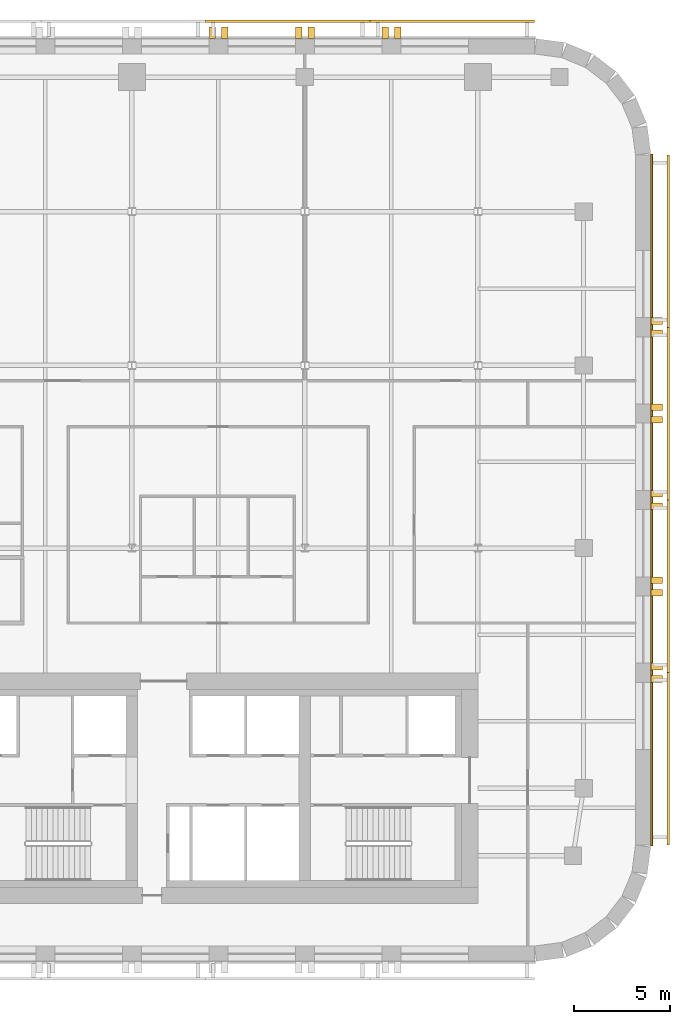
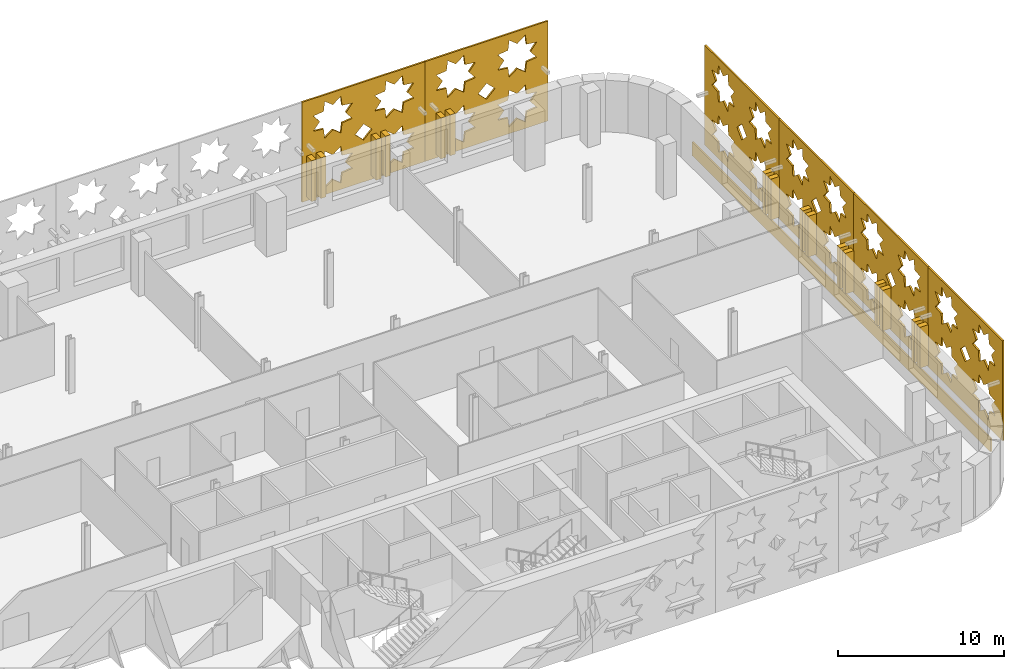
# One storey, part 12 of 12: 23 coverings.
"""IFC4 building model written with IfcOpenShell, lengths in metres."""

from ifc_helpers import new_model, si_unit, direction, frame, origin, place, context, subcontext, project, spatial, polyline, outline, extrude, material, layer, layer_set, type_object, element, save


model = new_model("IFC4")

# Units and contexts
model_context = context("Model", 3, precision=1e-05, world=origin(), true_north=direction((0.0, 1.0)))
body_context = subcontext(model_context, "Body", "Model", "MODEL_VIEW")
ifc_project = project(units=[si_unit("LENGTHUNIT", "METRE"), si_unit("AREAUNIT", "SQUARE_METRE"), si_unit("VOLUMEUNIT", "CUBIC_METRE"), si_unit("PLANEANGLEUNIT", "RADIAN"), si_unit("MASSUNIT", "GRAM", prefix="KILO")], contexts=[model_context])

# Site, building, storey
site_placement = place(None, origin())
site = spatial("IfcSite", under=ifc_project, at=site_placement, CompositionType="ELEMENT")
building_placement = place(site_placement, origin())
building = spatial("IfcBuilding", under=site, at=building_placement, Name="Zellij Exchange Tower", CompositionType="ELEMENT")
storey_placement = place(building_placement, frame((0.0, 0.0, 204.5)))
storey = spatial("IfcBuildingStorey", under=building, at=storey_placement, Name="L47", CompositionType="ELEMENT", Elevation=204.5)

# Coverings
ifc_material_1 = material(Name="Limestone cladding", Category="masonry")
covering_type_1 = type_object("IfcCoveringType", Name="ENV-CV3 Stone pier 350x600", PredefinedType="CLADDING", material=ifc_material_1)
covering_1_placement = place(storey_placement, frame((0.0, 0.0, 0.800048828125)))
element("IfcCovering", 1, at=covering_1_placement, inside=storey, type_object=covering_type_1, Name="Stone pier", PredefinedType="CLADDING", context=body_context, shape_type="SweptSolid", body=[
    extrude(outline(polyline([(36.0, -2.48681640625), (36.0, -2.136962890625), (36.60009765625, -2.136962890625), (36.60009765625, -2.48681640625), (36.0, -2.48681640625)])), origin(), (0.0, 0.0, 1.0), 3.0),
])
covering_2_placement = place(storey_placement, frame((0.0, 0.0, 0.800048828125)))
element("IfcCovering", 2, at=covering_2_placement, inside=storey, type_object=covering_type_1, Name="Stone pier", PredefinedType="CLADDING", context=body_context, shape_type="SweptSolid", body=[
    extrude(outline(polyline([(36.0, -1.8369140625), (36.0, -1.48681640625), (36.60009765625, -1.48681640625), (36.60009765625, -1.8369140625), (36.0, -1.8369140625)])), origin(), (0.0, 0.0, 1.0), 3.0),
])
covering_3_placement = place(storey_placement, frame((0.0, 0.0, 0.800048828125)))
element("IfcCovering", 3, at=covering_3_placement, inside=storey, type_object=covering_type_1, Name="Stone pier", PredefinedType="CLADDING", context=body_context, shape_type="SweptSolid", body=[
    extrude(outline(polyline([(36.0, 2.006591796875), (36.0, 2.3564453125), (36.60009765625, 2.3564453125), (36.60009765625, 2.006591796875), (36.0, 2.006591796875)])), origin(), (0.0, 0.0, 1.0), 3.0),
])
covering_4_placement = place(storey_placement, frame((0.0, 0.0, 0.800048828125)))
element("IfcCovering", 4, at=covering_4_placement, inside=storey, type_object=covering_type_1, Name="Stone pier", PredefinedType="CLADDING", context=body_context, shape_type="SweptSolid", body=[
    extrude(outline(polyline([(36.0, 2.656494140625), (36.0, 3.006591796875), (36.60009765625, 3.006591796875), (36.60009765625, 2.656494140625), (36.0, 2.656494140625)])), origin(), (0.0, 0.0, 1.0), 3.0),
])
covering_5_placement = place(storey_placement, frame((0.0, 0.0, 0.800048828125)))
element("IfcCovering", 5, at=covering_5_placement, inside=storey, type_object=covering_type_1, Name="Stone pier", PredefinedType="CLADDING", context=body_context, shape_type="SweptSolid", body=[
    extrude(outline(polyline([(36.0, 6.5), (36.0, 6.85009765625), (36.60009765625, 6.85009765625), (36.60009765625, 6.5), (36.0, 6.5)])), origin(), (0.0, 0.0, 1.0), 3.0),
])
covering_6_placement = place(storey_placement, frame((0.0, 0.0, 0.800048828125)))
element("IfcCovering", 6, at=covering_6_placement, inside=storey, type_object=covering_type_1, Name="Stone pier", PredefinedType="CLADDING", context=body_context, shape_type="SweptSolid", body=[
    extrude(outline(polyline([(36.0, 7.14990234375), (36.0, 7.5), (36.60009765625, 7.5), (36.60009765625, 7.14990234375), (36.0, 7.14990234375)])), origin(), (0.0, 0.0, 1.0), 3.0),
])
covering_7_placement = place(storey_placement, frame((0.0, 0.0, 0.800048828125)))
element("IfcCovering", 7, at=covering_7_placement, inside=storey, type_object=covering_type_1, Name="Stone pier", PredefinedType="CLADDING", context=body_context, shape_type="SweptSolid", body=[
    extrude(outline(polyline([(36.0, 10.993408203125), (36.0, 11.343505859375), (36.60009765625, 11.343505859375), (36.60009765625, 10.993408203125), (36.0, 10.993408203125)])), origin(), (0.0, 0.0, 1.0), 3.0),
])
covering_8_placement = place(storey_placement, frame((0.0, 0.0, 0.800048828125)))
element("IfcCovering", 8, at=covering_8_placement, inside=storey, type_object=covering_type_1, Name="Stone pier", PredefinedType="CLADDING", context=body_context, shape_type="SweptSolid", body=[
    extrude(outline(polyline([(36.0, 11.643310546875), (36.0, 11.993408203125), (36.60009765625, 11.993408203125), (36.60009765625, 11.643310546875), (36.0, 11.643310546875)])), origin(), (0.0, 0.0, 1.0), 3.0),
])
covering_9_placement = place(storey_placement, frame((0.0, 0.0, 0.800048828125)))
element("IfcCovering", 9, at=covering_9_placement, inside=storey, type_object=covering_type_1, Name="Stone pier", PredefinedType="CLADDING", context=body_context, shape_type="SweptSolid", body=[
    extrude(outline(polyline([(36.0, 15.48681640625), (36.0, 15.8369140625), (36.60009765625, 15.8369140625), (36.60009765625, 15.48681640625), (36.0, 15.48681640625)])), origin(), (0.0, 0.0, 1.0), 3.0),
])
covering_10_placement = place(storey_placement, frame((0.0, 0.0, 0.800048828125)))
element("IfcCovering", 10, at=covering_10_placement, inside=storey, type_object=covering_type_1, Name="Stone pier", PredefinedType="CLADDING", context=body_context, shape_type="SweptSolid", body=[
    extrude(outline(polyline([(36.0, 16.136962890625), (36.0, 16.48681640625), (36.60009765625, 16.48681640625), (36.60009765625, 16.136962890625), (36.0, 16.136962890625)])), origin(), (0.0, 0.0, 1.0), 3.0),
])
covering_11_placement = place(storey_placement, frame((0.0, 0.0, 0.800048828125)))
element("IfcCovering", 11, at=covering_11_placement, inside=storey, type_object=covering_type_1, Name="Stone pier", PredefinedType="CLADDING", context=body_context, shape_type="SweptSolid", body=[
    extrude(outline(polyline([(23.0, 31.0), (22.64990234375, 31.0), (22.64990234375, 31.60009765625), (23.0, 31.60009765625), (23.0, 31.0)])), origin(), (0.0, 0.0, 1.0), 3.0),
])
covering_12_placement = place(storey_placement, frame((0.0, 0.0, 0.800048828125)))
element("IfcCovering", 12, at=covering_12_placement, inside=storey, type_object=covering_type_1, Name="Stone pier", PredefinedType="CLADDING", context=body_context, shape_type="SweptSolid", body=[
    extrude(outline(polyline([(22.35009765625, 31.0), (22.0, 31.0), (22.0, 31.60009765625), (22.35009765625, 31.60009765625), (22.35009765625, 31.0)])), origin(), (0.0, 0.0, 1.0), 3.0),
])
covering_13_placement = place(storey_placement, frame((0.0, 0.0, 0.800048828125)))
element("IfcCovering", 13, at=covering_13_placement, inside=storey, type_object=covering_type_1, Name="Stone pier", PredefinedType="CLADDING", context=body_context, shape_type="SweptSolid", body=[
    extrude(outline(polyline([(18.5, 31.0), (18.14990234375, 31.0), (18.14990234375, 31.60009765625), (18.5, 31.60009765625), (18.5, 31.0)])), origin(), (0.0, 0.0, 1.0), 3.0),
])
covering_14_placement = place(storey_placement, frame((0.0, 0.0, 0.800048828125)))
element("IfcCovering", 14, at=covering_14_placement, inside=storey, type_object=covering_type_1, Name="Stone pier", PredefinedType="CLADDING", context=body_context, shape_type="SweptSolid", body=[
    extrude(outline(polyline([(17.85009765625, 31.0), (17.5, 31.0), (17.5, 31.60009765625), (17.85009765625, 31.60009765625), (17.85009765625, 31.0)])), origin(), (0.0, 0.0, 1.0), 3.0),
])
covering_15_placement = place(storey_placement, frame((0.0, 0.0, 0.800048828125)))
element("IfcCovering", 15, at=covering_15_placement, inside=storey, type_object=covering_type_1, Name="Stone pier", PredefinedType="CLADDING", context=body_context, shape_type="SweptSolid", body=[
    extrude(outline(polyline([(14.0, 31.0), (13.64990234375, 31.0), (13.64990234375, 31.60009765625), (14.0, 31.60009765625), (14.0, 31.0)])), origin(), (0.0, 0.0, 1.0), 3.0),
])
covering_16_placement = place(storey_placement, frame((0.0, 0.0, 0.800048828125)))
element("IfcCovering", 16, at=covering_16_placement, inside=storey, type_object=covering_type_1, Name="Stone pier", PredefinedType="CLADDING", context=body_context, shape_type="SweptSolid", body=[
    extrude(outline(polyline([(13.35009765625, 31.0), (13.0, 31.0), (13.0, 31.60009765625), (13.35009765625, 31.60009765625), (13.35009765625, 31.0)])), origin(), (0.0, 0.0, 1.0), 3.0),
])
ifc_layer_1 = layer(ifc_material_1, 0.10009765625)
ifc_layer_set_1 = layer_set([ifc_layer_1], Name="Limestone cladding")
covering_type_2 = type_object("IfcCoveringType", Name="ENV-CV9 Stone spandrel band 100", PredefinedType="CLADDING", material=ifc_layer_set_1)
covering_17_placement = place(storey_placement, frame((0.0, 0.0, -0.199951171875)))
element("IfcCovering", 17, at=covering_17_placement, inside=storey, type_object=covering_type_2, Name="Stone spandrel band", PredefinedType="CLADDING", context=body_context, shape_type="SweptSolid", body=[
    extrude(outline(polyline([(36.0, -10.973876953125), (36.0, 24.973876953125), (36.10009765625, 24.980224609375), (36.10009765625, -10.980224609375), (36.0, -10.973876953125)])), origin(), (0.0, 0.0, 1.0), 1.0),
])
ifc_material_2 = material(Name="Limestone screen", Category="masonry")
ifc_layer_2 = layer(ifc_material_2, 0.1201171875)
ifc_layer_set_2 = layer_set([ifc_layer_2], Name="Limestone screen")
covering_type_3 = type_object("IfcCoveringType", Name="ENV-SC1 Pierced stone screen 120", PredefinedType="USERDEFINED", material=ifc_layer_set_2)
covering_18_placement = place(storey_placement, frame((29.947509765625, 31.909912109375, 0.300048828125), z_axis=(0.0, 0.0, 1.0), x_axis=(-1.0, 0.0, 0.0)))
element("IfcCovering", 18, at=covering_18_placement, inside=storey, type_object=covering_type_3, Name="Pierced stone screen", ObjectType="SCREEN", PredefinedType="USERDEFINED", context=body_context, shape_type="SweptSolid", body=[
    extrude(outline(polyline([(0.0, 0.0), (8.556396484375, 0.0), (8.556396484375, 7.35009765625), (0.0, 7.35009765625), (0.0, 0.0)]), holes=[polyline([(3.497314453125, 2.39990234375), (2.78369140625, 2.48193359375), (2.70166015625, 3.195556640625), (2.13916015625, 2.748779296875), (1.57666015625, 3.195556640625), (1.49462890625, 2.48193359375), (0.781005859375, 2.39990234375), (1.227783203125, 1.83740234375), (0.781005859375, 1.27490234375), (1.49462890625, 1.193115234375), (1.57666015625, 0.4794921875), (2.13916015625, 0.926025390625), (2.70166015625, 0.4794921875), (2.78369140625, 1.193115234375), (3.497314453125, 1.27490234375), (3.050537109375, 1.83740234375), (3.497314453125, 2.39990234375)]), polyline([(3.497314453125, 6.074951171875), (2.78369140625, 6.156982421875), (2.70166015625, 6.87060546875), (2.13916015625, 6.423828125), (1.57666015625, 6.87060546875), (1.49462890625, 6.156982421875), (0.781005859375, 6.074951171875), (1.227783203125, 5.512451171875), (0.781005859375, 4.949951171875), (1.49462890625, 4.867919921875), (1.57666015625, 4.154296875), (2.13916015625, 4.60107421875), (2.70166015625, 4.154296875), (2.78369140625, 4.867919921875), (3.497314453125, 4.949951171875), (3.050537109375, 5.512451171875), (3.497314453125, 6.074951171875)]), polyline([(7.775390625, 2.39990234375), (7.061767578125, 2.48193359375), (6.97998046875, 3.195556640625), (6.417236328125, 2.748779296875), (5.854736328125, 3.195556640625), (5.77294921875, 2.48193359375), (5.05908203125, 2.39990234375), (5.505859375, 1.83740234375), (5.05908203125, 1.27490234375), (5.77294921875, 1.193115234375), (5.854736328125, 0.4794921875), (6.417236328125, 0.926025390625), (6.97998046875, 0.4794921875), (7.061767578125, 1.193115234375), (7.775390625, 1.27490234375), (7.32861328125, 1.83740234375), (7.775390625, 2.39990234375)]), polyline([(7.775390625, 6.074951171875), (7.061767578125, 6.156982421875), (6.97998046875, 6.87060546875), (6.417236328125, 6.423828125), (5.854736328125, 6.87060546875), (5.77294921875, 6.156982421875), (5.05908203125, 6.074951171875), (5.505859375, 5.512451171875), (5.05908203125, 4.949951171875), (5.77294921875, 4.867919921875), (5.854736328125, 4.154296875), (6.417236328125, 4.60107421875), (6.97998046875, 4.154296875), (7.061767578125, 4.867919921875), (7.775390625, 4.949951171875), (7.32861328125, 5.512451171875), (7.775390625, 6.074951171875)]), polyline([(4.8662109375, 3.675048828125), (4.2783203125, 4.262939453125), (3.690185546875, 3.675048828125), (4.2783203125, 3.0869140625), (4.8662109375, 3.675048828125)])]), frame((0.0, 0.06005859375, 0.0), z_axis=(0.0, -1.0, 0.0), x_axis=(1.0, 0.0, 0.0)), (0.0, 0.0, 1.0), 0.1201171875),
])
covering_19_placement = place(storey_placement, frame((21.39111328125, 31.909912109375, 0.300048828125), z_axis=(0.0, 0.0, 1.0), x_axis=(-1.0, 0.0, 0.0)))
element("IfcCovering", 19, at=covering_19_placement, inside=storey, type_object=covering_type_3, Name="Pierced stone screen", ObjectType="SCREEN", PredefinedType="USERDEFINED", context=body_context, shape_type="SweptSolid", body=[
    extrude(outline(polyline([(0.0, 0.0), (8.556396484375, 0.0), (8.556396484375, 7.35009765625), (0.0, 7.35009765625), (0.0, 0.0)]), holes=[polyline([(3.497314453125, 2.39990234375), (2.78369140625, 2.48193359375), (2.70166015625, 3.195556640625), (2.13916015625, 2.748779296875), (1.57666015625, 3.195556640625), (1.49462890625, 2.48193359375), (0.781005859375, 2.39990234375), (1.227783203125, 1.83740234375), (0.781005859375, 1.27490234375), (1.49462890625, 1.193115234375), (1.57666015625, 0.4794921875), (2.13916015625, 0.926025390625), (2.70166015625, 0.4794921875), (2.78369140625, 1.193115234375), (3.497314453125, 1.27490234375), (3.050537109375, 1.83740234375), (3.497314453125, 2.39990234375)]), polyline([(3.497314453125, 6.074951171875), (2.78369140625, 6.156982421875), (2.70166015625, 6.87060546875), (2.13916015625, 6.423828125), (1.57666015625, 6.87060546875), (1.49462890625, 6.156982421875), (0.781005859375, 6.074951171875), (1.227783203125, 5.512451171875), (0.781005859375, 4.949951171875), (1.49462890625, 4.867919921875), (1.57666015625, 4.154296875), (2.13916015625, 4.60107421875), (2.70166015625, 4.154296875), (2.78369140625, 4.867919921875), (3.497314453125, 4.949951171875), (3.050537109375, 5.512451171875), (3.497314453125, 6.074951171875)]), polyline([(7.775390625, 2.39990234375), (7.061767578125, 2.48193359375), (6.97998046875, 3.195556640625), (6.417236328125, 2.748779296875), (5.854736328125, 3.195556640625), (5.77294921875, 2.48193359375), (5.05908203125, 2.39990234375), (5.505859375, 1.83740234375), (5.05908203125, 1.27490234375), (5.77294921875, 1.193115234375), (5.854736328125, 0.4794921875), (6.417236328125, 0.926025390625), (6.97998046875, 0.4794921875), (7.061767578125, 1.193115234375), (7.775390625, 1.27490234375), (7.32861328125, 1.83740234375), (7.775390625, 2.39990234375)]), polyline([(7.775390625, 6.074951171875), (7.061767578125, 6.156982421875), (6.97998046875, 6.87060546875), (6.417236328125, 6.423828125), (5.854736328125, 6.87060546875), (5.77294921875, 6.156982421875), (5.05908203125, 6.074951171875), (5.505859375, 5.512451171875), (5.05908203125, 4.949951171875), (5.77294921875, 4.867919921875), (5.854736328125, 4.154296875), (6.417236328125, 4.60107421875), (6.97998046875, 4.154296875), (7.061767578125, 4.867919921875), (7.775390625, 4.949951171875), (7.32861328125, 5.512451171875), (7.775390625, 6.074951171875)]), polyline([(4.8662109375, 3.675048828125), (4.2783203125, 4.262939453125), (3.690185546875, 3.675048828125), (4.2783203125, 3.0869140625), (4.8662109375, 3.675048828125)])]), frame((0.0, 0.06005859375, 0.0), z_axis=(0.0, -1.0, 0.0), x_axis=(1.0, 0.0, 0.0)), (0.0, 0.0, 1.0), 0.1201171875),
])
covering_20_placement = place(storey_placement, frame((36.909912109375, -10.947509765625, 0.300048828125), z_axis=(0.0, 0.0, 1.0), x_axis=(0.0, 1.0, 0.0)))
element("IfcCovering", 20, at=covering_20_placement, inside=storey, type_object=covering_type_3, Name="Pierced stone screen", ObjectType="SCREEN", PredefinedType="USERDEFINED", context=body_context, shape_type="SweptSolid", body=[
    extrude(outline(polyline([(0.0, 0.0), (8.973876953125, 0.0), (8.973876953125, 7.35009765625), (0.0, 7.35009765625), (0.0, 0.0)]), holes=[polyline([(3.6015625, 2.39990234375), (2.887939453125, 2.48193359375), (2.805908203125, 3.195556640625), (2.243408203125, 2.748779296875), (1.680908203125, 3.195556640625), (1.59912109375, 2.48193359375), (0.88525390625, 2.39990234375), (1.33203125, 1.83740234375), (0.88525390625, 1.27490234375), (1.59912109375, 1.193115234375), (1.680908203125, 0.4794921875), (2.243408203125, 0.926025390625), (2.805908203125, 0.4794921875), (2.887939453125, 1.193115234375), (3.6015625, 1.27490234375), (3.15478515625, 1.83740234375), (3.6015625, 2.39990234375)]), polyline([(3.6015625, 6.074951171875), (2.887939453125, 6.156982421875), (2.805908203125, 6.87060546875), (2.243408203125, 6.423828125), (1.680908203125, 6.87060546875), (1.59912109375, 6.156982421875), (0.88525390625, 6.074951171875), (1.33203125, 5.512451171875), (0.88525390625, 4.949951171875), (1.59912109375, 4.867919921875), (1.680908203125, 4.154296875), (2.243408203125, 4.60107421875), (2.805908203125, 4.154296875), (2.887939453125, 4.867919921875), (3.6015625, 4.949951171875), (3.15478515625, 5.512451171875), (3.6015625, 6.074951171875)]), polyline([(8.08837890625, 2.39990234375), (7.374755859375, 2.48193359375), (7.29296875, 3.195556640625), (6.730224609375, 2.748779296875), (6.167724609375, 3.195556640625), (6.0859375, 2.48193359375), (5.372314453125, 2.39990234375), (5.81884765625, 1.83740234375), (5.372314453125, 1.27490234375), (6.0859375, 1.193115234375), (6.167724609375, 0.4794921875), (6.730224609375, 0.926025390625), (7.29296875, 0.4794921875), (7.374755859375, 1.193115234375), (8.08837890625, 1.27490234375), (7.6416015625, 1.83740234375), (8.08837890625, 2.39990234375)]), polyline([(8.08837890625, 6.074951171875), (7.374755859375, 6.156982421875), (7.29296875, 6.87060546875), (6.730224609375, 6.423828125), (6.167724609375, 6.87060546875), (6.0859375, 6.156982421875), (5.372314453125, 6.074951171875), (5.81884765625, 5.512451171875), (5.372314453125, 4.949951171875), (6.0859375, 4.867919921875), (6.167724609375, 4.154296875), (6.730224609375, 4.60107421875), (7.29296875, 4.154296875), (7.374755859375, 4.867919921875), (8.08837890625, 4.949951171875), (7.6416015625, 5.512451171875), (8.08837890625, 6.074951171875)]), polyline([(5.074951171875, 3.675048828125), (4.48681640625, 4.262939453125), (3.89892578125, 3.675048828125), (4.48681640625, 3.0869140625), (5.074951171875, 3.675048828125)])]), frame((0.0, 0.06005859375, 0.0), z_axis=(0.0, -1.0, 0.0), x_axis=(1.0, 0.0, 0.0)), (0.0, 0.0, 1.0), 0.1201171875),
])
covering_21_placement = place(storey_placement, frame((36.909912109375, -1.973876953125, 0.300048828125), z_axis=(0.0, 0.0, 1.0), x_axis=(0.0, 1.0, 0.0)))
element("IfcCovering", 21, at=covering_21_placement, inside=storey, type_object=covering_type_3, Name="Pierced stone screen", ObjectType="SCREEN", PredefinedType="USERDEFINED", context=body_context, shape_type="SweptSolid", body=[
    extrude(outline(polyline([(0.0, 0.0), (8.973876953125, 0.0), (8.973876953125, 7.35009765625), (0.0, 7.35009765625), (0.0, 0.0)]), holes=[polyline([(3.6015625, 2.39990234375), (2.887939453125, 2.48193359375), (2.805908203125, 3.195556640625), (2.243408203125, 2.748779296875), (1.680908203125, 3.195556640625), (1.59912109375, 2.48193359375), (0.88525390625, 2.39990234375), (1.33203125, 1.83740234375), (0.88525390625, 1.27490234375), (1.59912109375, 1.193115234375), (1.680908203125, 0.4794921875), (2.243408203125, 0.926025390625), (2.805908203125, 0.4794921875), (2.887939453125, 1.193115234375), (3.6015625, 1.27490234375), (3.15478515625, 1.83740234375), (3.6015625, 2.39990234375)]), polyline([(3.6015625, 6.074951171875), (2.887939453125, 6.156982421875), (2.805908203125, 6.87060546875), (2.243408203125, 6.423828125), (1.680908203125, 6.87060546875), (1.59912109375, 6.156982421875), (0.88525390625, 6.074951171875), (1.33203125, 5.512451171875), (0.88525390625, 4.949951171875), (1.59912109375, 4.867919921875), (1.680908203125, 4.154296875), (2.243408203125, 4.60107421875), (2.805908203125, 4.154296875), (2.887939453125, 4.867919921875), (3.6015625, 4.949951171875), (3.15478515625, 5.512451171875), (3.6015625, 6.074951171875)]), polyline([(8.08837890625, 2.39990234375), (7.374755859375, 2.48193359375), (7.29296875, 3.195556640625), (6.730224609375, 2.748779296875), (6.167724609375, 3.195556640625), (6.0859375, 2.48193359375), (5.372314453125, 2.39990234375), (5.81884765625, 1.83740234375), (5.372314453125, 1.27490234375), (6.0859375, 1.193115234375), (6.167724609375, 0.4794921875), (6.730224609375, 0.926025390625), (7.29296875, 0.4794921875), (7.374755859375, 1.193115234375), (8.08837890625, 1.27490234375), (7.6416015625, 1.83740234375), (8.08837890625, 2.39990234375)]), polyline([(8.08837890625, 6.074951171875), (7.374755859375, 6.156982421875), (7.29296875, 6.87060546875), (6.730224609375, 6.423828125), (6.167724609375, 6.87060546875), (6.0859375, 6.156982421875), (5.372314453125, 6.074951171875), (5.81884765625, 5.512451171875), (5.372314453125, 4.949951171875), (6.0859375, 4.867919921875), (6.167724609375, 4.154296875), (6.730224609375, 4.60107421875), (7.29296875, 4.154296875), (7.374755859375, 4.867919921875), (8.08837890625, 4.949951171875), (7.6416015625, 5.512451171875), (8.08837890625, 6.074951171875)]), polyline([(5.074951171875, 3.675048828125), (4.48681640625, 4.262939453125), (3.89892578125, 3.675048828125), (4.48681640625, 3.0869140625), (5.074951171875, 3.675048828125)])]), frame((0.0, 0.06005859375, 0.0), z_axis=(0.0, -1.0, 0.0), x_axis=(1.0, 0.0, 0.0)), (0.0, 0.0, 1.0), 0.1201171875),
])
covering_22_placement = place(storey_placement, frame((36.909912109375, 7.0, 0.300048828125), z_axis=(0.0, 0.0, 1.0), x_axis=(0.0, 1.0, 0.0)))
element("IfcCovering", 22, at=covering_22_placement, inside=storey, type_object=covering_type_3, Name="Pierced stone screen", ObjectType="SCREEN", PredefinedType="USERDEFINED", context=body_context, shape_type="SweptSolid", body=[
    extrude(outline(polyline([(0.0, 0.0), (8.973876953125, 0.0), (8.973876953125, 7.35009765625), (0.0, 7.35009765625), (0.0, 0.0)]), holes=[polyline([(3.6015625, 2.39990234375), (2.887939453125, 2.48193359375), (2.805908203125, 3.195556640625), (2.243408203125, 2.748779296875), (1.680908203125, 3.195556640625), (1.59912109375, 2.48193359375), (0.88525390625, 2.39990234375), (1.33203125, 1.83740234375), (0.88525390625, 1.27490234375), (1.59912109375, 1.193115234375), (1.680908203125, 0.4794921875), (2.243408203125, 0.926025390625), (2.805908203125, 0.4794921875), (2.887939453125, 1.193115234375), (3.6015625, 1.27490234375), (3.15478515625, 1.83740234375), (3.6015625, 2.39990234375)]), polyline([(3.6015625, 6.074951171875), (2.887939453125, 6.156982421875), (2.805908203125, 6.87060546875), (2.243408203125, 6.423828125), (1.680908203125, 6.87060546875), (1.59912109375, 6.156982421875), (0.88525390625, 6.074951171875), (1.33203125, 5.512451171875), (0.88525390625, 4.949951171875), (1.59912109375, 4.867919921875), (1.680908203125, 4.154296875), (2.243408203125, 4.60107421875), (2.805908203125, 4.154296875), (2.887939453125, 4.867919921875), (3.6015625, 4.949951171875), (3.15478515625, 5.512451171875), (3.6015625, 6.074951171875)]), polyline([(8.08837890625, 2.39990234375), (7.374755859375, 2.48193359375), (7.29296875, 3.195556640625), (6.730224609375, 2.748779296875), (6.167724609375, 3.195556640625), (6.0859375, 2.48193359375), (5.372314453125, 2.39990234375), (5.81884765625, 1.83740234375), (5.372314453125, 1.27490234375), (6.0859375, 1.193115234375), (6.167724609375, 0.4794921875), (6.730224609375, 0.926025390625), (7.29296875, 0.4794921875), (7.374755859375, 1.193115234375), (8.08837890625, 1.27490234375), (7.6416015625, 1.83740234375), (8.08837890625, 2.39990234375)]), polyline([(8.08837890625, 6.074951171875), (7.374755859375, 6.156982421875), (7.29296875, 6.87060546875), (6.730224609375, 6.423828125), (6.167724609375, 6.87060546875), (6.0859375, 6.156982421875), (5.372314453125, 6.074951171875), (5.81884765625, 5.512451171875), (5.372314453125, 4.949951171875), (6.0859375, 4.867919921875), (6.167724609375, 4.154296875), (6.730224609375, 4.60107421875), (7.29296875, 4.154296875), (7.374755859375, 4.867919921875), (8.08837890625, 4.949951171875), (7.6416015625, 5.512451171875), (8.08837890625, 6.074951171875)]), polyline([(5.074951171875, 3.675048828125), (4.48681640625, 4.262939453125), (3.89892578125, 3.675048828125), (4.48681640625, 3.0869140625), (5.074951171875, 3.675048828125)])]), frame((0.0, 0.06005859375, 0.0), z_axis=(0.0, -1.0, 0.0), x_axis=(1.0, 0.0, 0.0)), (0.0, 0.0, 1.0), 0.1201171875),
])
covering_23_placement = place(storey_placement, frame((36.909912109375, 15.973876953125, 0.300048828125), z_axis=(0.0, 0.0, 1.0), x_axis=(0.0, 1.0, 0.0)))
element("IfcCovering", 23, at=covering_23_placement, inside=storey, type_object=covering_type_3, Name="Pierced stone screen", ObjectType="SCREEN", PredefinedType="USERDEFINED", context=body_context, shape_type="SweptSolid", body=[
    extrude(outline(polyline([(0.0, 0.0), (8.973876953125, 0.0), (8.973876953125, 7.35009765625), (0.0, 7.35009765625), (0.0, 0.0)]), holes=[polyline([(3.6015625, 2.39990234375), (2.887939453125, 2.48193359375), (2.805908203125, 3.195556640625), (2.243408203125, 2.748779296875), (1.680908203125, 3.195556640625), (1.59912109375, 2.48193359375), (0.88525390625, 2.39990234375), (1.33203125, 1.83740234375), (0.88525390625, 1.27490234375), (1.59912109375, 1.193115234375), (1.680908203125, 0.4794921875), (2.243408203125, 0.926025390625), (2.805908203125, 0.4794921875), (2.887939453125, 1.193115234375), (3.6015625, 1.27490234375), (3.15478515625, 1.83740234375), (3.6015625, 2.39990234375)]), polyline([(3.6015625, 6.074951171875), (2.887939453125, 6.156982421875), (2.805908203125, 6.87060546875), (2.243408203125, 6.423828125), (1.680908203125, 6.87060546875), (1.59912109375, 6.156982421875), (0.88525390625, 6.074951171875), (1.33203125, 5.512451171875), (0.88525390625, 4.949951171875), (1.59912109375, 4.867919921875), (1.680908203125, 4.154296875), (2.243408203125, 4.60107421875), (2.805908203125, 4.154296875), (2.887939453125, 4.867919921875), (3.6015625, 4.949951171875), (3.15478515625, 5.512451171875), (3.6015625, 6.074951171875)]), polyline([(8.08837890625, 2.39990234375), (7.374755859375, 2.48193359375), (7.29296875, 3.195556640625), (6.730224609375, 2.748779296875), (6.167724609375, 3.195556640625), (6.0859375, 2.48193359375), (5.372314453125, 2.39990234375), (5.81884765625, 1.83740234375), (5.372314453125, 1.27490234375), (6.0859375, 1.193115234375), (6.167724609375, 0.4794921875), (6.730224609375, 0.926025390625), (7.29296875, 0.4794921875), (7.374755859375, 1.193115234375), (8.08837890625, 1.27490234375), (7.6416015625, 1.83740234375), (8.08837890625, 2.39990234375)]), polyline([(8.08837890625, 6.074951171875), (7.374755859375, 6.156982421875), (7.29296875, 6.87060546875), (6.730224609375, 6.423828125), (6.167724609375, 6.87060546875), (6.0859375, 6.156982421875), (5.372314453125, 6.074951171875), (5.81884765625, 5.512451171875), (5.372314453125, 4.949951171875), (6.0859375, 4.867919921875), (6.167724609375, 4.154296875), (6.730224609375, 4.60107421875), (7.29296875, 4.154296875), (7.374755859375, 4.867919921875), (8.08837890625, 4.949951171875), (7.6416015625, 5.512451171875), (8.08837890625, 6.074951171875)]), polyline([(5.074951171875, 3.675048828125), (4.48681640625, 4.262939453125), (3.89892578125, 3.675048828125), (4.48681640625, 3.0869140625), (5.074951171875, 3.675048828125)])]), frame((0.0, 0.06005859375, 0.0), z_axis=(0.0, -1.0, 0.0), x_axis=(1.0, 0.0, 0.0)), (0.0, 0.0, 1.0), 0.1201171875),
])

save(model, "model.ifc")
